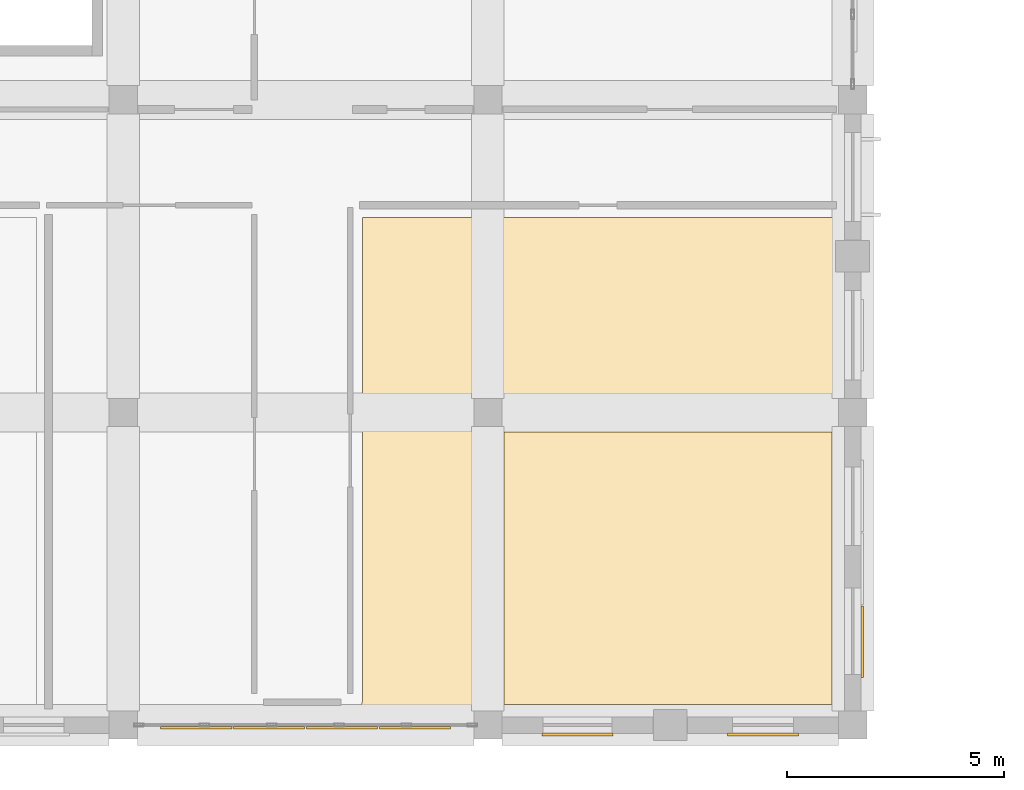
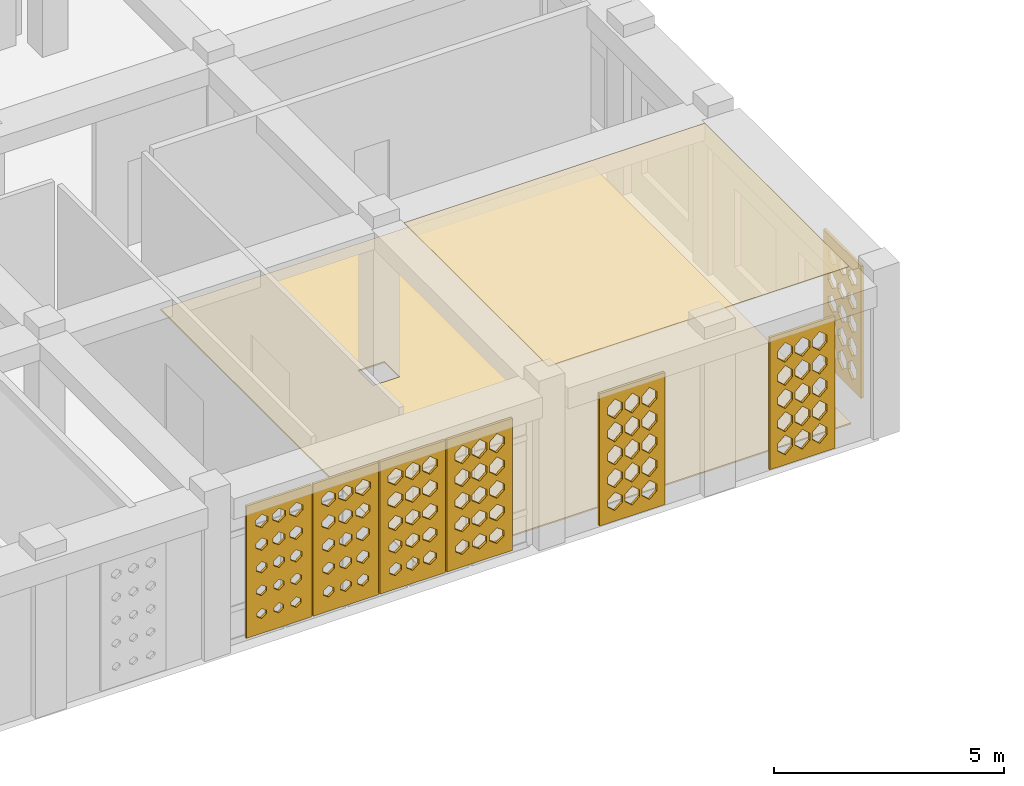
# One storey, part 56 of 79: 9 coverings.
"""IFC4 building model written with IfcOpenShell, lengths in metres."""

from ifc_helpers import new_model, si_unit, derived_unit, direction, frame, origin, place, context, subcontext, project, spatial, polyline, outline, extrude, material, layer, layer_set, type_object, element, save


model = new_model("IFC4")

# Units and contexts
model_context = context("Model", 3, precision=1e-05, world=origin(), true_north=direction((0.0, 1.0)))
body_context = subcontext(model_context, "Body", "Model", "MODEL_VIEW")
ifc_project = project(units=[si_unit("LENGTHUNIT", "METRE"), si_unit("AREAUNIT", "SQUARE_METRE"), si_unit("VOLUMEUNIT", "CUBIC_METRE"), si_unit("PLANEANGLEUNIT", "RADIAN"), si_unit("MASSUNIT", "GRAM", prefix="KILO"), derived_unit("THERMALTRANSMITTANCEUNIT", [(si_unit("POWERUNIT", "WATT"), 1), (si_unit("LENGTHUNIT", "METRE"), -2), (si_unit("THERMODYNAMICTEMPERATUREUNIT", "KELVIN"), -1)])], contexts=[model_context])

# Site, building, storey
site_placement = place(None, origin())
site = spatial("IfcSite", under=ifc_project, at=site_placement, CompositionType="ELEMENT")
building_placement = place(site_placement, origin())
building = spatial("IfcBuilding", under=site, at=building_placement, Name="Veybourne Emporium", CompositionType="ELEMENT")
storey_placement = place(building_placement, frame((0.0, 0.0, 18.89990234375)))
storey = spatial("IfcBuildingStorey", under=building, at=storey_placement, Name="L04", CompositionType="ELEMENT", Elevation=18.89990234375)

# Coverings
ifc_material_1 = material(Name="Mineral Acoustic Ceiling", Category="gypsum")
ifc_layer_1 = layer(ifc_material_1, 0.02490234375)
ifc_layer_set_1 = layer_set([ifc_layer_1], Name="Mineral Acoustic Ceiling")
covering_type_1 = type_object("IfcCoveringType", Name="Ceiling_CLG-01", PredefinedType="CEILING", material=ifc_layer_set_1)
covering_1_placement = place(storey_placement, frame((0.0, 0.0, 4.155029296875)))
element("IfcCovering", 1, at=covering_1_placement, inside=storey, type_object=covering_type_1, Name="L04 coffered acoustic ceiling 02", PredefinedType="CEILING", context=body_context, shape_type="SweptSolid", body=[
    extrude(outline(polyline([(42.373046875, 0.472900390625), (42.373046875, 6.751953125), (49.927001953125, 6.751953125), (49.927001953125, 0.472900390625), (42.373046875, 0.472900390625)])), origin(), (0.0, 0.0, 1.0), 0.025146484375),
])
ifc_material_2 = material(Name="European Oak Parquet", Category="wood")
ifc_layer_2 = layer(ifc_material_2, 0.034912109375)
ifc_layer_set_2 = layer_set([ifc_layer_2], Name="European Oak Parquet")
covering_type_2 = type_object("IfcCoveringType", Name="Flooring_FLR-02", PredefinedType="FLOORING", material=ifc_layer_set_2)
covering_2_placement = place(storey_placement, origin())
element("IfcCovering", 2, at=covering_2_placement, inside=storey, type_object=covering_type_2, Name="L04 floor finish 02", PredefinedType="FLOORING", context=body_context, shape_type="SweptSolid", body=[
    extrude(outline(polyline([(39.07861328125, 0.453369140625), (39.086181640625, 0.471435546875), (39.09130859375, 0.486083984375), (39.09716796875, 0.5048828125), (39.100830078125, 0.520263671875), (39.104736328125, 0.53955078125), (39.107177734375, 0.554931640625), (39.10888671875, 0.574462890625), (39.10986328125, 0.590087890625), (39.110107421875, 0.60009765625), (39.110107421875, 11.68994140625), (49.9599609375, 11.68994140625), (49.9599609375, 0.43994140625), (39.072265625, 0.43994140625), (39.07861328125, 0.453369140625)]), holes=[polyline([(41.669921875, 7.530029296875), (41.669921875, 6.8701171875), (42.330078125, 6.8701171875), (42.330078125, 7.530029296875), (41.669921875, 7.530029296875)])]), origin(), (0.0, 0.0, 1.0), 0.03515625),
])
ifc_material_3 = material(Name="Warm-White Perforated Aluminium Screen Alloy", Category="aluminium")
ifc_layer_3 = layer(ifc_material_3, 0.06005859375)
ifc_layer_set_3 = layer_set([ifc_layer_3], Name="Warm-White Perforated Aluminium Screen Alloy")
covering_type_3 = type_object("IfcCoveringType", Name="WaveScreen_SCR-01", PredefinedType="CLADDING", material=ifc_layer_set_3)
covering_3_placement = place(storey_placement, frame((36.9599609375, -0.093017578125, 1.815185546875), z_axis=(0.0, 1.0, 0.0), x_axis=(-1.0, 0.0, 0.0)))
element("IfcCovering", 3, at=covering_3_placement, inside=storey, type_object=covering_type_3, Name="L04 wave-perforated aluminium screen SCR-01 (21C.3)", PredefinedType="CLADDING", context=body_context, shape_type="SweptSolid", body=[
    extrude(outline(polyline([(-0.81982421875, -1.7548828125), (0.81982421875, -1.7548828125), (0.81982421875, 1.7548828125), (-0.81982421875, 1.7548828125), (-0.81982421875, -1.7548828125)]), holes=[polyline([(-0.433349609375, -1.06689453125), (-0.29150390625, -1.169921875), (-0.29150390625, -1.285888671875), (-0.433349609375, -1.38916015625), (-0.5751953125, -1.285888671875), (-0.5751953125, -1.169921875), (-0.433349609375, -1.06689453125)]), polyline([(-0.433349609375, -0.439453125), (-0.280517578125, -0.551025390625), (-0.280517578125, -0.677001953125), (-0.433349609375, -0.78857421875), (-0.586181640625, -0.677001953125), (-0.586181640625, -0.551025390625), (-0.433349609375, -0.439453125)]), polyline([(-0.433349609375, 0.188720703125), (-0.26904296875, 0.06787109375), (-0.26904296875, -0.06787109375), (-0.433349609375, -0.188720703125), (-0.59765625, -0.06787109375), (-0.59765625, 0.06787109375), (-0.433349609375, 0.188720703125)]), polyline([(-0.433349609375, 0.81689453125), (-0.25732421875, 0.68701171875), (-0.25732421875, 0.541015625), (-0.433349609375, 0.4111328125), (-0.609375, 0.541015625), (-0.609375, 0.68701171875), (-0.433349609375, 0.81689453125)]), polyline([(-0.433349609375, 1.444580078125), (-0.2470703125, 1.305908203125), (-0.2470703125, 1.14990234375), (-0.433349609375, 1.01123046875), (-0.61962890625, 1.14990234375), (-0.61962890625, 1.305908203125), (-0.433349609375, 1.444580078125)]), polyline([(0.0, -1.07275390625), (0.136962890625, -1.172119140625), (0.136962890625, -1.283935546875), (0.0, -1.38330078125), (-0.136962890625, -1.283935546875), (-0.136962890625, -1.172119140625), (0.0, -1.07275390625)]), polyline([(0.0, -0.445556640625), (0.147705078125, -0.553466796875), (0.147705078125, -0.674560546875), (0.0, -0.782470703125), (-0.147705078125, -0.674560546875), (-0.147705078125, -0.553466796875), (0.0, -0.445556640625)]), polyline([(0.0, 0.18212890625), (0.1591796875, 0.065673828125), (0.1591796875, -0.065673828125), (0.0, -0.18212890625), (-0.1591796875, -0.065673828125), (-0.1591796875, 0.065673828125), (0.0, 0.18212890625)]), polyline([(0.0, 0.810302734375), (0.170654296875, 0.684814453125), (0.170654296875, 0.543212890625), (0.0, 0.41748046875), (-0.170654296875, 0.543212890625), (-0.170654296875, 0.684814453125), (0.0, 0.810302734375)]), polyline([(0.0, 1.4384765625), (0.18212890625, 1.3037109375), (0.18212890625, 1.152099609375), (0.0, 1.017578125), (-0.18212890625, 1.152099609375), (-0.18212890625, 1.3037109375), (0.0, 1.4384765625)]), polyline([(0.433349609375, -1.078369140625), (0.56591796875, -1.174072265625), (0.56591796875, -1.281982421875), (0.433349609375, -1.377685546875), (0.30078125, -1.281982421875), (0.30078125, -1.174072265625), (0.433349609375, -1.078369140625)]), polyline([(0.433349609375, -0.45166015625), (0.576171875, -0.5556640625), (0.576171875, -0.67236328125), (0.433349609375, -0.7763671875), (0.29052734375, -0.67236328125), (0.29052734375, -0.5556640625), (0.433349609375, -0.45166015625)]), polyline([(0.433349609375, 0.17578125), (0.587158203125, 0.063232421875), (0.587158203125, -0.063232421875), (0.433349609375, -0.17578125), (0.279296875, -0.063232421875), (0.279296875, 0.063232421875), (0.433349609375, 0.17578125)]), polyline([(0.433349609375, 0.803955078125), (0.598876953125, 0.682373046875), (0.598876953125, 0.545654296875), (0.433349609375, 0.424072265625), (0.267822265625, 0.545654296875), (0.267822265625, 0.682373046875), (0.433349609375, 0.803955078125)]), polyline([(0.433349609375, 1.43212890625), (0.6103515625, 1.301513671875), (0.6103515625, 1.154541015625), (0.433349609375, 1.02392578125), (0.25634765625, 1.154541015625), (0.25634765625, 1.301513671875), (0.433349609375, 1.43212890625)])]), origin(), (0.0, 0.0, 1.0), 0.06005859375),
])
covering_4_placement = place(storey_placement, frame((50.64794921875, 1.919921875, 1.815185546875), z_axis=(-1.0, 0.0, 0.0), x_axis=(0.0, -1.0, 0.0)))
element("IfcCovering", 4, at=covering_4_placement, inside=storey, type_object=covering_type_3, Name="L04 wave-perforated aluminium screen SCR-01 (25.3)", PredefinedType="CLADDING", context=body_context, shape_type="SweptSolid", body=[
    extrude(outline(polyline([(-0.81982421875, -1.7548828125), (0.81982421875, -1.7548828125), (0.81982421875, 1.7548828125), (-0.81982421875, 1.7548828125), (-0.81982421875, -1.7548828125)]), holes=[polyline([(-0.433349609375, -0.981201171875), (-0.2470703125, -1.13916015625), (-0.2470703125, -1.31689453125), (-0.433349609375, -1.474609375), (-0.61962890625, -1.31689453125), (-0.61962890625, -1.13916015625), (-0.433349609375, -0.981201171875)]), polyline([(-0.433349609375, -0.378662109375), (-0.2470703125, -0.529296875), (-0.2470703125, -0.69873046875), (-0.433349609375, -0.849365234375), (-0.61962890625, -0.69873046875), (-0.61962890625, -0.529296875), (-0.433349609375, -0.378662109375)]), polyline([(-0.433349609375, 0.22265625), (-0.2470703125, 0.080078125), (-0.2470703125, -0.080078125), (-0.433349609375, -0.22265625), (-0.61962890625, -0.080078125), (-0.61962890625, 0.080078125), (-0.433349609375, 0.22265625)]), polyline([(-0.433349609375, 0.822998046875), (-0.25244140625, 0.689208984375), (-0.25244140625, 0.538818359375), (-0.433349609375, 0.405029296875), (-0.6142578125, 0.538818359375), (-0.6142578125, 0.689208984375), (-0.433349609375, 0.822998046875)]), polyline([(-0.433349609375, 1.4228515625), (-0.263916015625, 1.298095703125), (-0.263916015625, 1.15771484375), (-0.433349609375, 1.033203125), (-0.602783203125, 1.15771484375), (-0.602783203125, 1.298095703125), (-0.433349609375, 1.4228515625)]), polyline([(0.0, -0.9765625), (0.186279296875, -1.137451171875), (0.186279296875, -1.318603515625), (0.0, -1.4794921875), (-0.186279296875, -1.318603515625), (-0.186279296875, -1.137451171875), (0.0, -0.9765625)]), polyline([(0.0, -0.373291015625), (0.186279296875, -0.52734375), (0.186279296875, -0.70068359375), (0.0, -0.8544921875), (-0.186279296875, -0.70068359375), (-0.186279296875, -0.52734375), (0.0, -0.373291015625)]), polyline([(0.0, 0.228515625), (0.186279296875, 0.082275390625), (0.186279296875, -0.082275390625), (0.0, -0.228515625), (-0.186279296875, -0.082275390625), (-0.186279296875, 0.082275390625), (0.0, 0.228515625)]), polyline([(0.0, 0.8291015625), (0.18603515625, 0.69140625), (0.18603515625, 0.53662109375), (0.0, 0.398681640625), (-0.18603515625, 0.53662109375), (-0.18603515625, 0.69140625), (0.0, 0.8291015625)]), polyline([(0.0, 1.42919921875), (0.1748046875, 1.300537109375), (0.1748046875, 1.155517578125), (0.0, 1.026611328125), (-0.1748046875, 1.155517578125), (-0.1748046875, 1.300537109375), (0.0, 1.42919921875)]), polyline([(0.433349609375, -0.972412109375), (0.61962890625, -1.135986328125), (0.61962890625, -1.320068359375), (0.433349609375, -1.483642578125), (0.2470703125, -1.320068359375), (0.2470703125, -1.135986328125), (0.433349609375, -0.972412109375)]), polyline([(0.433349609375, -0.368408203125), (0.61962890625, -0.525390625), (0.61962890625, -0.702392578125), (0.433349609375, -0.859619140625), (0.2470703125, -0.702392578125), (0.2470703125, -0.525390625), (0.433349609375, -0.368408203125)]), polyline([(0.433349609375, 0.234130859375), (0.61962890625, 0.084228515625), (0.61962890625, -0.084228515625), (0.433349609375, -0.234130859375), (0.2470703125, -0.084228515625), (0.2470703125, 0.084228515625), (0.433349609375, 0.234130859375)]), polyline([(0.433349609375, 0.835205078125), (0.61962890625, 0.693603515625), (0.61962890625, 0.5341796875), (0.433349609375, 0.392578125), (0.2470703125, 0.5341796875), (0.2470703125, 0.693603515625), (0.433349609375, 0.835205078125)]), polyline([(0.433349609375, 1.435791015625), (0.61328125, 1.302734375), (0.61328125, 1.1533203125), (0.433349609375, 1.020263671875), (0.25341796875, 1.1533203125), (0.25341796875, 1.302734375), (0.433349609375, 1.435791015625)])]), origin(), (0.0, 0.0, 1.0), 0.06005859375),
])
ifc_layer_4 = layer(ifc_material_3, 0.06005859375)
ifc_layer_set_4 = layer_set([ifc_layer_4], Name="Warm-White Perforated Aluminium Screen Alloy")
covering_type_4 = type_object("IfcCoveringType", Name="WaveScreen_SCR-02", PredefinedType="CLADDING", material=ifc_layer_set_4)
covering_5_placement = place(storey_placement, frame((35.280029296875, -0.093017578125, 1.815185546875), z_axis=(0.0, 1.0, 0.0), x_axis=(-1.0, 0.0, 0.0)))
element("IfcCovering", 5, at=covering_5_placement, inside=storey, type_object=covering_type_4, Name="L04 wave-perforated aluminium screen SCR-02 (21C.4)", PredefinedType="CLADDING", context=body_context, shape_type="SweptSolid", body=[
    extrude(outline(polyline([(-0.81982421875, -1.7548828125), (0.81982421875, -1.7548828125), (0.81982421875, 1.7548828125), (-0.81982421875, 1.7548828125), (-0.81982421875, -1.7548828125)]), holes=[polyline([(-0.433349609375, -1.088134765625), (-0.30908203125, -1.177734375), (-0.30908203125, -1.2783203125), (-0.433349609375, -1.367919921875), (-0.5576171875, -1.2783203125), (-0.5576171875, -1.177734375), (-0.433349609375, -1.088134765625)]), polyline([(-0.433349609375, -0.462646484375), (-0.29931640625, -0.5595703125), (-0.29931640625, -0.66845703125), (-0.433349609375, -0.765380859375), (-0.567138671875, -0.66845703125), (-0.567138671875, -0.5595703125), (-0.433349609375, -0.462646484375)]), polyline([(-0.433349609375, 0.164306640625), (-0.288818359375, 0.05908203125), (-0.288818359375, -0.05908203125), (-0.433349609375, -0.164306640625), (-0.57763671875, -0.05908203125), (-0.57763671875, 0.05908203125), (-0.433349609375, 0.164306640625)]), polyline([(-0.433349609375, 0.7919921875), (-0.277587890625, 0.677978515625), (-0.277587890625, 0.5498046875), (-0.433349609375, 0.43603515625), (-0.5888671875, 0.5498046875), (-0.5888671875, 0.677978515625), (-0.433349609375, 0.7919921875)]), polyline([(-0.433349609375, 1.420166015625), (-0.26611328125, 1.297119140625), (-0.26611328125, 1.158935546875), (-0.433349609375, 1.035888671875), (-0.6005859375, 1.158935546875), (-0.6005859375, 1.297119140625), (-0.433349609375, 1.420166015625)]), polyline([(0.0, -1.093017578125), (0.12060546875, -1.179443359375), (0.12060546875, -1.276611328125), (0.0, -1.363037109375), (-0.12060546875, -1.276611328125), (-0.12060546875, -1.179443359375), (0.0, -1.093017578125)]), polyline([(0.0, -0.468017578125), (0.12939453125, -0.561279296875), (0.12939453125, -0.66650390625), (0.0, -0.760009765625), (-0.12939453125, -0.66650390625), (-0.12939453125, -0.561279296875), (0.0, -0.468017578125)]), polyline([(0.0, 0.158203125), (0.139404296875, 0.056884765625), (0.139404296875, -0.056884765625), (0.0, -0.158203125), (-0.139404296875, -0.056884765625), (-0.139404296875, 0.056884765625), (0.0, 0.158203125)]), polyline([(0.0, 0.78564453125), (0.150390625, 0.67578125), (0.150390625, 0.55224609375), (0.0, 0.4423828125), (-0.150390625, 0.55224609375), (-0.150390625, 0.67578125), (0.0, 0.78564453125)]), polyline([(0.0, 1.41357421875), (0.161865234375, 1.294921875), (0.161865234375, 1.1611328125), (0.0, 1.04248046875), (-0.161865234375, 1.1611328125), (-0.161865234375, 1.294921875), (0.0, 1.41357421875)]), polyline([(0.433349609375, -1.097412109375), (0.55029296875, -1.180908203125), (0.55029296875, -1.27490234375), (0.433349609375, -1.358642578125), (0.31640625, -1.27490234375), (0.31640625, -1.180908203125), (0.433349609375, -1.097412109375)]), polyline([(0.433349609375, -0.47314453125), (0.55859375, -0.563232421875), (0.55859375, -0.664794921875), (0.433349609375, -0.7548828125), (0.30810546875, -0.664794921875), (0.30810546875, -0.563232421875), (0.433349609375, -0.47314453125)]), polyline([(0.433349609375, 0.152587890625), (0.568115234375, 0.054931640625), (0.568115234375, -0.054931640625), (0.433349609375, -0.152587890625), (0.298583984375, -0.054931640625), (0.298583984375, 0.054931640625), (0.433349609375, 0.152587890625)]), polyline([(0.433349609375, 0.779541015625), (0.578857421875, 0.673583984375), (0.578857421875, 0.554443359375), (0.433349609375, 0.448486328125), (0.287841796875, 0.554443359375), (0.287841796875, 0.673583984375), (0.433349609375, 0.779541015625)]), polyline([(0.433349609375, 1.4072265625), (0.590087890625, 1.29248046875), (0.590087890625, 1.16357421875), (0.433349609375, 1.048583984375), (0.276611328125, 1.16357421875), (0.276611328125, 1.29248046875), (0.433349609375, 1.4072265625)])]), origin(), (0.0, 0.0, 1.0), 0.06005859375),
])
covering_6_placement = place(storey_placement, frame((48.33740234375, -0.248046875, 1.815185546875), z_axis=(0.0, 1.0, 0.0), x_axis=(-1.0, 0.0, 0.0)))
element("IfcCovering", 6, at=covering_6_placement, inside=storey, type_object=covering_type_4, Name="L04 wave-perforated aluminium screen SCR-02 (24A.1)", PredefinedType="CLADDING", context=body_context, shape_type="SweptSolid", body=[
    extrude(outline(polyline([(-0.81982421875, -1.7548828125), (0.81982421875, -1.7548828125), (0.81982421875, 1.7548828125), (-0.81982421875, 1.7548828125), (-0.81982421875, -1.7548828125)]), holes=[polyline([(-0.433349609375, -0.964111328125), (-0.2470703125, -1.133056640625), (-0.2470703125, -1.322998046875), (-0.433349609375, -1.491943359375), (-0.61962890625, -1.322998046875), (-0.61962890625, -1.133056640625), (-0.433349609375, -0.964111328125)]), polyline([(-0.433349609375, -0.35009765625), (-0.2470703125, -0.51904296875), (-0.2470703125, -0.708984375), (-0.433349609375, -0.8779296875), (-0.61962890625, -0.708984375), (-0.61962890625, -0.51904296875), (-0.433349609375, -0.35009765625)]), polyline([(-0.433349609375, 0.263916015625), (-0.2470703125, 0.094970703125), (-0.2470703125, -0.094970703125), (-0.433349609375, -0.263916015625), (-0.61962890625, -0.094970703125), (-0.61962890625, 0.094970703125), (-0.433349609375, 0.263916015625)]), polyline([(-0.433349609375, 0.875732421875), (-0.2470703125, 0.708251953125), (-0.2470703125, 0.519775390625), (-0.433349609375, 0.352294921875), (-0.61962890625, 0.519775390625), (-0.61962890625, 0.708251953125), (-0.433349609375, 0.875732421875)]), polyline([(-0.433349609375, 1.481201171875), (-0.2470703125, 1.319091796875), (-0.2470703125, 1.136962890625), (-0.433349609375, 0.974853515625), (-0.61962890625, 1.136962890625), (-0.61962890625, 1.319091796875), (-0.433349609375, 1.481201171875)]), polyline([(0.0, -0.964111328125), (0.186279296875, -1.133056640625), (0.186279296875, -1.322998046875), (0.0, -1.491943359375), (-0.186279296875, -1.322998046875), (-0.186279296875, -1.133056640625), (0.0, -0.964111328125)]), polyline([(0.0, -0.35009765625), (0.186279296875, -0.51904296875), (0.186279296875, -0.708984375), (0.0, -0.8779296875), (-0.186279296875, -0.708984375), (-0.186279296875, -0.51904296875), (0.0, -0.35009765625)]), polyline([(0.0, 0.263916015625), (0.186279296875, 0.094970703125), (0.186279296875, -0.094970703125), (0.0, -0.263916015625), (-0.186279296875, -0.094970703125), (-0.186279296875, 0.094970703125), (0.0, 0.263916015625)]), polyline([(0.0, 0.8779296875), (0.186279296875, 0.708984375), (0.186279296875, 0.51904296875), (0.0, 0.35009765625), (-0.186279296875, 0.51904296875), (-0.186279296875, 0.708984375), (0.0, 0.8779296875)]), polyline([(0.0, 1.485107421875), (0.186279296875, 1.320556640625), (0.186279296875, 1.135498046875), (0.0, 0.970703125), (-0.186279296875, 1.135498046875), (-0.186279296875, 1.320556640625), (0.0, 1.485107421875)]), polyline([(0.433349609375, -0.964111328125), (0.61962890625, -1.133056640625), (0.61962890625, -1.322998046875), (0.433349609375, -1.491943359375), (0.2470703125, -1.322998046875), (0.2470703125, -1.133056640625), (0.433349609375, -0.964111328125)]), polyline([(0.433349609375, -0.35009765625), (0.61962890625, -0.51904296875), (0.61962890625, -0.708984375), (0.433349609375, -0.8779296875), (0.2470703125, -0.708984375), (0.2470703125, -0.51904296875), (0.433349609375, -0.35009765625)]), polyline([(0.433349609375, 0.263916015625), (0.61962890625, 0.094970703125), (0.61962890625, -0.094970703125), (0.433349609375, -0.263916015625), (0.2470703125, -0.094970703125), (0.2470703125, 0.094970703125), (0.433349609375, 0.263916015625)]), polyline([(0.433349609375, 0.8779296875), (0.61962890625, 0.708984375), (0.61962890625, 0.51904296875), (0.433349609375, 0.35009765625), (0.2470703125, 0.51904296875), (0.2470703125, 0.708984375), (0.433349609375, 0.8779296875)]), polyline([(0.433349609375, 1.489013671875), (0.61962890625, 1.322021484375), (0.61962890625, 1.134033203125), (0.433349609375, 0.967041015625), (0.2470703125, 1.134033203125), (0.2470703125, 1.322021484375), (0.433349609375, 1.489013671875)])]), origin(), (0.0, 0.0, 1.0), 0.06005859375),
])
covering_7_placement = place(storey_placement, frame((44.0625, -0.248046875, 1.815185546875), z_axis=(0.0, 1.0, 0.0), x_axis=(-1.0, 0.0, 0.0)))
element("IfcCovering", 7, at=covering_7_placement, inside=storey, type_object=covering_type_4, Name="L04 wave-perforated aluminium screen SCR-02 (24B.1)", PredefinedType="CLADDING", context=body_context, shape_type="SweptSolid", body=[
    extrude(outline(polyline([(-0.81982421875, -1.7548828125), (0.81982421875, -1.7548828125), (0.81982421875, 1.7548828125), (-0.81982421875, 1.7548828125), (-0.81982421875, -1.7548828125)]), holes=[polyline([(-0.433349609375, -0.972900390625), (-0.2470703125, -1.13623046875), (-0.2470703125, -1.31982421875), (-0.433349609375, -1.48291015625), (-0.61962890625, -1.31982421875), (-0.61962890625, -1.13623046875), (-0.433349609375, -0.972900390625)]), polyline([(-0.433349609375, -0.3505859375), (-0.2470703125, -0.519287109375), (-0.2470703125, -0.708740234375), (-0.433349609375, -0.877197265625), (-0.61962890625, -0.708740234375), (-0.61962890625, -0.519287109375), (-0.433349609375, -0.3505859375)]), polyline([(-0.433349609375, 0.263916015625), (-0.2470703125, 0.094970703125), (-0.2470703125, -0.094970703125), (-0.433349609375, -0.263916015625), (-0.61962890625, -0.094970703125), (-0.61962890625, 0.094970703125), (-0.433349609375, 0.263916015625)]), polyline([(-0.433349609375, 0.8779296875), (-0.2470703125, 0.708984375), (-0.2470703125, 0.51904296875), (-0.433349609375, 0.35009765625), (-0.61962890625, 0.51904296875), (-0.61962890625, 0.708984375), (-0.433349609375, 0.8779296875)]), polyline([(-0.433349609375, 1.491943359375), (-0.2470703125, 1.322998046875), (-0.2470703125, 1.133056640625), (-0.433349609375, 0.964111328125), (-0.61962890625, 1.133056640625), (-0.61962890625, 1.322998046875), (-0.433349609375, 1.491943359375)]), polyline([(0.0, -0.977294921875), (0.186279296875, -1.1376953125), (0.186279296875, -1.318115234375), (0.0, -1.478515625), (-0.186279296875, -1.318115234375), (-0.186279296875, -1.1376953125), (0.0, -0.977294921875)]), polyline([(0.0, -0.354248046875), (0.186279296875, -0.5205078125), (0.186279296875, -0.70751953125), (0.0, -0.873779296875), (-0.186279296875, -0.70751953125), (-0.186279296875, -0.5205078125), (0.0, -0.354248046875)]), polyline([(0.0, 0.263916015625), (0.186279296875, 0.094970703125), (0.186279296875, -0.094970703125), (0.0, -0.263916015625), (-0.186279296875, -0.094970703125), (-0.186279296875, 0.094970703125), (0.0, 0.263916015625)]), polyline([(0.0, 0.8779296875), (0.186279296875, 0.708984375), (0.186279296875, 0.51904296875), (0.0, 0.35009765625), (-0.186279296875, 0.51904296875), (-0.186279296875, 0.708984375), (0.0, 0.8779296875)]), polyline([(0.0, 1.491943359375), (0.186279296875, 1.322998046875), (0.186279296875, 1.133056640625), (0.0, 0.964111328125), (-0.186279296875, 1.133056640625), (-0.186279296875, 1.322998046875), (0.0, 1.491943359375)]), polyline([(0.433349609375, -0.982177734375), (0.61962890625, -1.139404296875), (0.61962890625, -1.31640625), (0.433349609375, -1.473876953125), (0.2470703125, -1.31640625), (0.2470703125, -1.139404296875), (0.433349609375, -0.982177734375)]), polyline([(0.433349609375, -0.358154296875), (0.61962890625, -0.52197265625), (0.61962890625, -0.7060546875), (0.433349609375, -0.869873046875), (0.2470703125, -0.7060546875), (0.2470703125, -0.52197265625), (0.433349609375, -0.358154296875)]), polyline([(0.433349609375, 0.263916015625), (0.61962890625, 0.094970703125), (0.61962890625, -0.094970703125), (0.433349609375, -0.263916015625), (0.2470703125, -0.094970703125), (0.2470703125, 0.094970703125), (0.433349609375, 0.263916015625)]), polyline([(0.433349609375, 0.8779296875), (0.61962890625, 0.708984375), (0.61962890625, 0.51904296875), (0.433349609375, 0.35009765625), (0.2470703125, 0.51904296875), (0.2470703125, 0.708984375), (0.433349609375, 0.8779296875)]), polyline([(0.433349609375, 1.491943359375), (0.61962890625, 1.322998046875), (0.61962890625, 1.133056640625), (0.433349609375, 0.964111328125), (0.2470703125, 1.133056640625), (0.2470703125, 1.322998046875), (0.433349609375, 1.491943359375)])]), origin(), (0.0, 0.0, 1.0), 0.06005859375),
])
ifc_layer_5 = layer(ifc_material_3, 0.06005859375)
ifc_layer_set_5 = layer_set([ifc_layer_5], Name="Warm-White Perforated Aluminium Screen Alloy")
covering_type_5 = type_object("IfcCoveringType", Name="WaveScreen_SCR-03", PredefinedType="CLADDING", material=ifc_layer_set_5)
covering_8_placement = place(storey_placement, frame((40.320068359375, -0.093017578125, 1.815185546875), z_axis=(0.0, 1.0, 0.0), x_axis=(-1.0, 0.0, 0.0)))
element("IfcCovering", 8, at=covering_8_placement, inside=storey, type_object=covering_type_5, Name="L04 wave-perforated aluminium screen SCR-03 (21C.1)", PredefinedType="CLADDING", context=body_context, shape_type="SweptSolid", body=[
    extrude(outline(polyline([(-0.81982421875, -1.7548828125), (0.81982421875, -1.7548828125), (0.81982421875, 1.7548828125), (-0.81982421875, 1.7548828125), (-0.81982421875, -1.7548828125)]), holes=[polyline([(-0.433349609375, -1.01806640625), (-0.25146484375, -1.15234375), (-0.25146484375, -1.3037109375), (-0.433349609375, -1.43798828125), (-0.615234375, -1.3037109375), (-0.615234375, -1.15234375), (-0.433349609375, -1.01806640625)]), polyline([(-0.433349609375, -0.390380859375), (-0.2470703125, -0.533447265625), (-0.2470703125, -0.694580078125), (-0.433349609375, -0.837646484375), (-0.61962890625, -0.694580078125), (-0.61962890625, -0.533447265625), (-0.433349609375, -0.390380859375)]), polyline([(-0.433349609375, 0.236083984375), (-0.2470703125, 0.0849609375), (-0.2470703125, -0.0849609375), (-0.433349609375, -0.236083984375), (-0.61962890625, -0.0849609375), (-0.61962890625, 0.0849609375), (-0.433349609375, 0.236083984375)]), polyline([(-0.433349609375, 0.861572265625), (-0.2470703125, 0.703125), (-0.2470703125, 0.52490234375), (-0.433349609375, 0.366455078125), (-0.61962890625, 0.52490234375), (-0.61962890625, 0.703125), (-0.433349609375, 0.861572265625)]), polyline([(-0.433349609375, 1.485107421875), (-0.2470703125, 1.320556640625), (-0.2470703125, 1.135498046875), (-0.433349609375, 0.970703125), (-0.61962890625, 1.135498046875), (-0.61962890625, 1.320556640625), (-0.433349609375, 1.485107421875)]), polyline([(0.0, -1.0244140625), (0.1767578125, -1.15478515625), (0.1767578125, -1.30126953125), (0.0, -1.431640625), (-0.1767578125, -1.30126953125), (-0.1767578125, -1.15478515625), (0.0, -1.0244140625)]), polyline([(0.0, -0.396484375), (0.186279296875, -0.53564453125), (0.186279296875, -0.6923828125), (0.0, -0.83154296875), (-0.186279296875, -0.6923828125), (-0.186279296875, -0.53564453125), (0.0, -0.396484375)]), polyline([(0.0, 0.230712890625), (0.186279296875, 0.0830078125), (0.186279296875, -0.0830078125), (0.0, -0.230712890625), (-0.186279296875, -0.0830078125), (-0.186279296875, 0.0830078125), (0.0, 0.230712890625)]), polyline([(0.0, 0.856689453125), (0.186279296875, 0.701416015625), (0.186279296875, 0.526611328125), (0.0, 0.371337890625), (-0.186279296875, 0.526611328125), (-0.186279296875, 0.701416015625), (0.0, 0.856689453125)]), polyline([(0.0, 1.48095703125), (0.186279296875, 1.319091796875), (0.186279296875, 1.136962890625), (0.0, 0.97509765625), (-0.186279296875, 1.136962890625), (-0.186279296875, 1.319091796875), (0.0, 1.48095703125)]), polyline([(0.433349609375, -1.03076171875), (0.604736328125, -1.156982421875), (0.604736328125, -1.299072265625), (0.433349609375, -1.42529296875), (0.261962890625, -1.299072265625), (0.261962890625, -1.156982421875), (0.433349609375, -1.03076171875)]), polyline([(0.433349609375, -0.402587890625), (0.6162109375, -0.537841796875), (0.6162109375, -0.690185546875), (0.433349609375, -0.8251953125), (0.25048828125, -0.690185546875), (0.25048828125, -0.537841796875), (0.433349609375, -0.402587890625)]), polyline([(0.433349609375, 0.224853515625), (0.61962890625, 0.080810546875), (0.61962890625, -0.080810546875), (0.433349609375, -0.224853515625), (0.2470703125, -0.080810546875), (0.2470703125, 0.080810546875), (0.433349609375, 0.224853515625)]), polyline([(0.433349609375, 0.851318359375), (0.61962890625, 0.699462890625), (0.61962890625, 0.528564453125), (0.433349609375, 0.376708984375), (0.2470703125, 0.528564453125), (0.2470703125, 0.699462890625), (0.433349609375, 0.851318359375)]), polyline([(0.433349609375, 1.4765625), (0.61962890625, 1.3173828125), (0.61962890625, 1.138427734375), (0.433349609375, 0.9794921875), (0.2470703125, 1.138427734375), (0.2470703125, 1.3173828125), (0.433349609375, 1.4765625)])]), origin(), (0.0, 0.0, 1.0), 0.06005859375),
])
ifc_layer_6 = layer(ifc_material_3, 0.06005859375)
ifc_layer_set_6 = layer_set([ifc_layer_6], Name="Warm-White Perforated Aluminium Screen Alloy")
covering_type_6 = type_object("IfcCoveringType", Name="WaveScreen_SCR-04", PredefinedType="CLADDING", material=ifc_layer_set_6)
covering_9_placement = place(storey_placement, frame((38.639892578125, -0.093017578125, 1.815185546875), z_axis=(0.0, 1.0, 0.0), x_axis=(-1.0, 0.0, 0.0)))
element("IfcCovering", 9, at=covering_9_placement, inside=storey, type_object=covering_type_6, Name="L04 wave-perforated aluminium screen SCR-04 (21C.2)", PredefinedType="CLADDING", context=body_context, shape_type="SweptSolid", body=[
    extrude(outline(polyline([(-0.81982421875, -1.7548828125), (0.81982421875, -1.7548828125), (0.81982421875, 1.7548828125), (-0.81982421875, 1.7548828125), (-0.81982421875, -1.7548828125)]), holes=[polyline([(-0.433349609375, -1.042724609375), (-0.271728515625, -1.161376953125), (-0.271728515625, -1.294677734375), (-0.433349609375, -1.4130859375), (-0.594970703125, -1.294677734375), (-0.594970703125, -1.161376953125), (-0.433349609375, -1.042724609375)]), polyline([(-0.433349609375, -0.41455078125), (-0.26025390625, -0.542236328125), (-0.26025390625, -0.685791015625), (-0.433349609375, -0.8134765625), (-0.6064453125, -0.685791015625), (-0.6064453125, -0.542236328125), (-0.433349609375, -0.41455078125)]), polyline([(-0.433349609375, 0.21337890625), (-0.248779296875, 0.076904296875), (-0.248779296875, -0.076904296875), (-0.433349609375, -0.21337890625), (-0.617919921875, -0.076904296875), (-0.617919921875, 0.076904296875), (-0.433349609375, 0.21337890625)]), polyline([(-0.433349609375, 0.8408203125), (-0.2470703125, 0.695556640625), (-0.2470703125, 0.532470703125), (-0.433349609375, 0.38720703125), (-0.61962890625, 0.532470703125), (-0.61962890625, 0.695556640625), (-0.433349609375, 0.8408203125)]), polyline([(-0.433349609375, 1.467041015625), (-0.2470703125, 1.314208984375), (-0.2470703125, 1.141845703125), (-0.433349609375, 0.989013671875), (-0.61962890625, 1.141845703125), (-0.61962890625, 1.314208984375), (-0.433349609375, 1.467041015625)]), polyline([(0.0, -1.049072265625), (0.15625, -1.16357421875), (0.15625, -1.29248046875), (0.0, -1.406982421875), (-0.15625, -1.29248046875), (-0.15625, -1.16357421875), (0.0, -1.049072265625)]), polyline([(0.0, -0.4208984375), (0.16796875, -0.54443359375), (0.16796875, -0.68359375), (0.0, -0.806884765625), (-0.16796875, -0.68359375), (-0.16796875, -0.54443359375), (0.0, -0.4208984375)]), polyline([(0.0, 0.20703125), (0.179443359375, 0.074462890625), (0.179443359375, -0.074462890625), (0.0, -0.20703125), (-0.179443359375, -0.074462890625), (-0.179443359375, 0.074462890625), (0.0, 0.20703125)]), polyline([(0.0, 0.834716796875), (0.186279296875, 0.693603515625), (0.186279296875, 0.534423828125), (0.0, 0.393310546875), (-0.186279296875, 0.534423828125), (-0.186279296875, 0.693603515625), (0.0, 0.834716796875)]), polyline([(0.0, 1.461669921875), (0.186279296875, 1.31201171875), (0.186279296875, 1.143798828125), (0.0, 0.994384765625), (-0.186279296875, 1.143798828125), (-0.186279296875, 1.31201171875), (0.0, 1.461669921875)]), polyline([(0.433349609375, -1.055419921875), (0.58447265625, -1.166015625), (0.58447265625, -1.2900390625), (0.433349609375, -1.400634765625), (0.2822265625, -1.2900390625), (0.2822265625, -1.166015625), (0.433349609375, -1.055419921875)]), polyline([(0.433349609375, -0.427490234375), (0.595947265625, -0.546875), (0.595947265625, -0.68115234375), (0.433349609375, -0.800537109375), (0.270751953125, -0.68115234375), (0.270751953125, -0.546875), (0.433349609375, -0.427490234375)]), polyline([(0.433349609375, 0.20068359375), (0.607666015625, 0.072265625), (0.607666015625, -0.072265625), (0.433349609375, -0.20068359375), (0.259033203125, -0.072265625), (0.259033203125, 0.072265625), (0.433349609375, 0.20068359375)]), polyline([(0.433349609375, 0.82861328125), (0.618896484375, 0.69140625), (0.618896484375, 0.53662109375), (0.433349609375, 0.3994140625), (0.247802734375, 0.53662109375), (0.247802734375, 0.69140625), (0.433349609375, 0.82861328125)]), polyline([(0.433349609375, 1.455810546875), (0.61962890625, 1.31005859375), (0.61962890625, 1.14599609375), (0.433349609375, 1.0), (0.2470703125, 1.14599609375), (0.2470703125, 1.31005859375), (0.433349609375, 1.455810546875)])]), origin(), (0.0, 0.0, 1.0), 0.06005859375),
])

save(model, "model.ifc")
